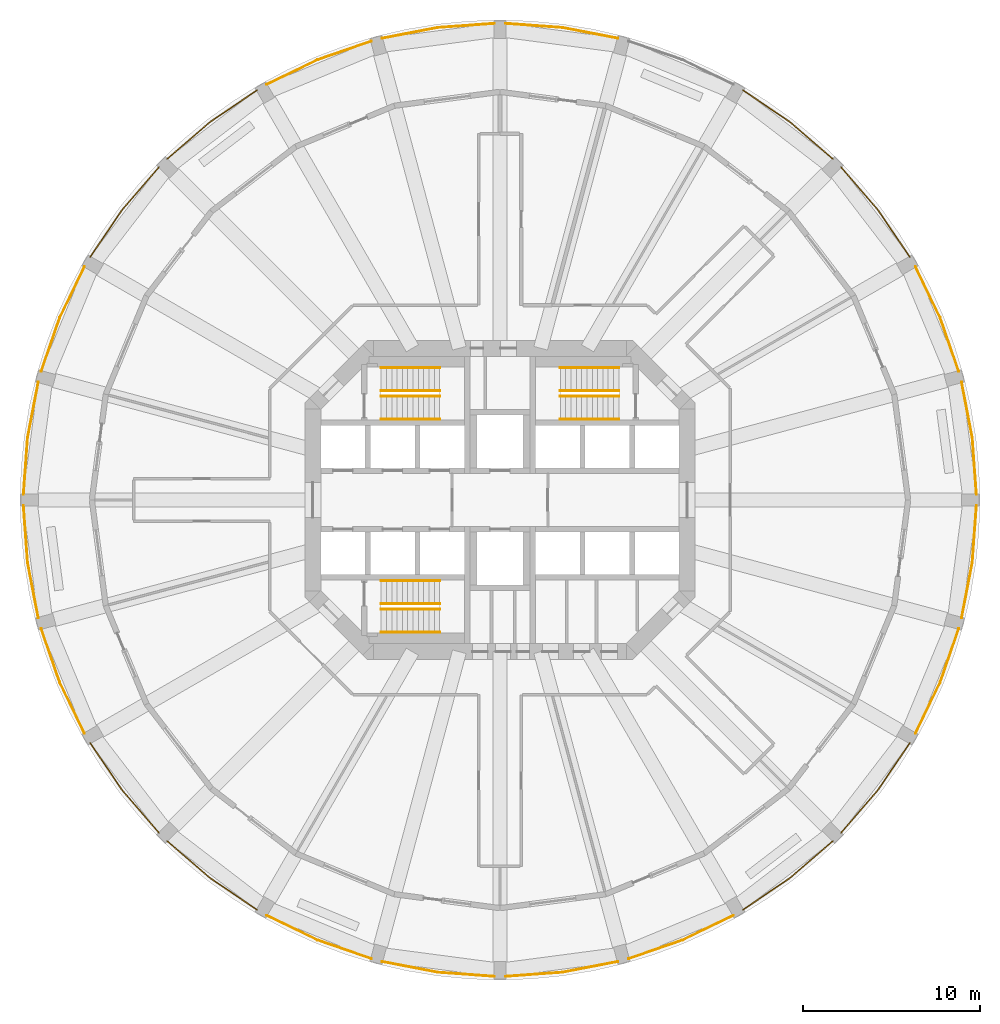
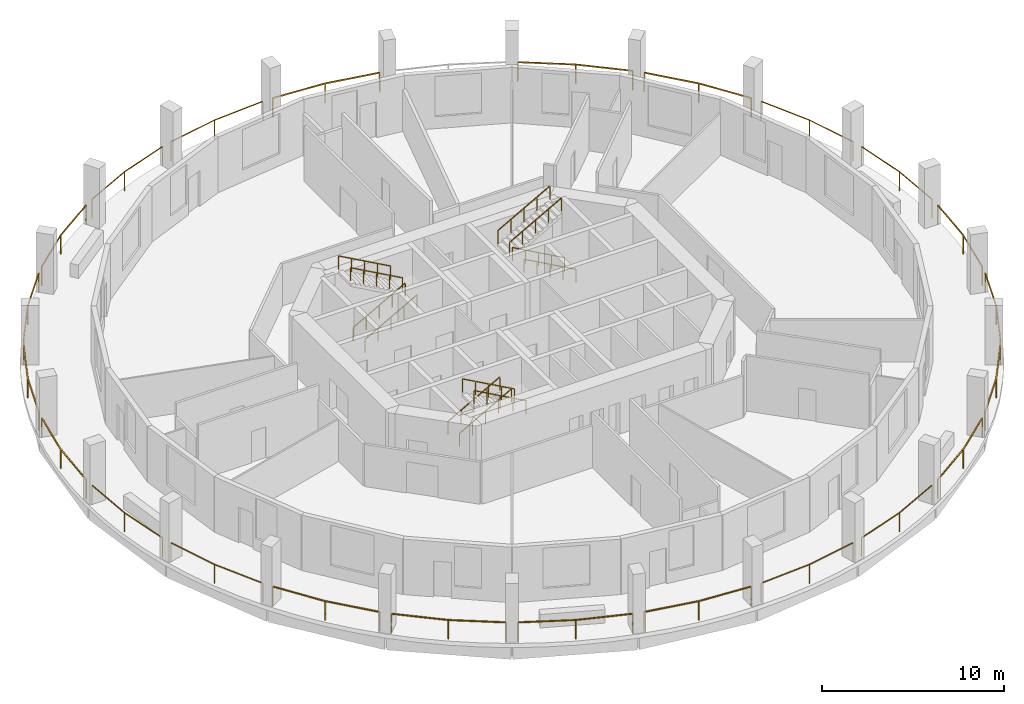
# One storey, part 8 of 9: 35 railings.
"""IFC4 building model written with IfcOpenShell, lengths in metres."""

from ifc_helpers import new_model, si_unit, direction, frame, origin, origin_2d, place, context, subcontext, project, spatial, rectangle, extrude, material, type_object, element, save


model = new_model("IFC4")

# Units and contexts
model_context = context("Model", 3, precision=1e-05, world=origin(), true_north=direction((0.0, 1.0)))
body_context = subcontext(model_context, "Body", "Model", "MODEL_VIEW")
ifc_project = project(units=[si_unit("LENGTHUNIT", "METRE"), si_unit("AREAUNIT", "SQUARE_METRE"), si_unit("VOLUMEUNIT", "CUBIC_METRE"), si_unit("PLANEANGLEUNIT", "RADIAN"), si_unit("MASSUNIT", "GRAM", prefix="KILO")], contexts=[model_context])

# Site, building, storey
site_placement = place(None, origin())
site = spatial("IfcSite", under=ifc_project, at=site_placement, CompositionType="ELEMENT")
building_placement = place(site_placement, origin())
building = spatial("IfcBuilding", under=site, at=building_placement, Name="Torre Triforio", CompositionType="ELEMENT")
storey_placement = place(building_placement, frame((0.0, 0.0, 55.0)))
storey = spatial("IfcBuildingStorey", under=building, at=storey_placement, Name="L11", CompositionType="ELEMENT", Elevation=55.0)

# Railings
ifc_material = material(Name="Stainless steel AISI 316", Category="steel")
railing_type_1 = type_object("IfcRailingType", Name="HANDRAIL 920", PredefinedType="HANDRAIL", material=ifc_material)
for number, where, name in (
    (1, (-6.699951171875, 4.550048828125, 0.166748046875), "Handrail ST1"),
    (2, (-6.699951171875, 5.85009765625, 0.166748046875), "Handrail ST1"),
):
    element("IfcRailing", number, at=place(storey_placement, frame(where)), inside=storey, type_object=railing_type_1, Name=name, PredefinedType="HANDRAIL", context=body_context, shape_type="SweptSolid", body=[
        extrude(rectangle(XDim=0.048095703125, YDim=0.048095703125, at=origin_2d()), frame((0.0, 0.0, 0.89599609375), z_axis=(0.874169478083, 0.0, 0.485620966999), x_axis=(0.0, 1.0, 0.0)), (0.0, 0.0, 1.0), 3.775146484375),
        extrude(rectangle(XDim=0.0419921875, YDim=0.0419921875, at=origin_2d()), origin(), (0.0, 0.0, 1.0), 0.871826171875),
        extrude(rectangle(XDim=0.0419921875, YDim=0.0419921875, at=origin_2d()), frame((0.824951171875, 0.0, 0.458251953125)), (0.0, 0.0, 1.0), 0.871826171875),
        extrude(rectangle(XDim=0.0419921875, YDim=0.0419921875, at=origin_2d()), frame((1.64990234375, 0.0, 0.91650390625)), (0.0, 0.0, 1.0), 0.871826171875),
        extrude(rectangle(XDim=0.0419921875, YDim=0.0419921875, at=origin_2d()), frame((2.47509765625, 0.0, 1.375)), (0.0, 0.0, 1.0), 0.871826171875),
        extrude(rectangle(XDim=0.0419921875, YDim=0.0419921875, at=origin_2d()), frame((3.300048828125, 0.0, 1.833251953125)), (0.0, 0.0, 1.0), 0.871826171875),
    ])
for number, where, name in (
    (3, (-3.39990234375, 7.449951171875, 2.166748046875), "Handrail ST1"),
    (4, (-3.39990234375, 6.14990234375, 2.166748046875), "Handrail ST1"),
    (5, (6.699951171875, 4.550048828125, 0.166748046875), "Handrail ST2"),
    (6, (6.699951171875, 5.85009765625, 0.166748046875), "Handrail ST2"),
):
    element("IfcRailing", number, at=place(storey_placement, frame(where)), inside=storey, type_object=railing_type_1, Name=name, PredefinedType="HANDRAIL", context=body_context, shape_type="SweptSolid", body=[
        extrude(rectangle(XDim=0.048095703125, YDim=0.048095703125, at=origin_2d()), frame((0.0, 0.0, 0.89599609375), z_axis=(-0.874169478083, 0.0, 0.485620966999), x_axis=(0.0, -1.0, 0.0)), (0.0, 0.0, 1.0), 3.775146484375),
        extrude(rectangle(XDim=0.0419921875, YDim=0.0419921875, at=origin_2d()), origin(), (0.0, 0.0, 1.0), 0.871826171875),
        extrude(rectangle(XDim=0.0419921875, YDim=0.0419921875, at=origin_2d()), frame((-0.824951171875, 0.0, 0.458251953125)), (0.0, 0.0, 1.0), 0.871826171875),
        extrude(rectangle(XDim=0.0419921875, YDim=0.0419921875, at=origin_2d()), frame((-1.64990234375, 0.0, 0.91650390625)), (0.0, 0.0, 1.0), 0.871826171875),
        extrude(rectangle(XDim=0.0419921875, YDim=0.0419921875, at=origin_2d()), frame((-2.47509765625, 0.0, 1.375)), (0.0, 0.0, 1.0), 0.871826171875),
        extrude(rectangle(XDim=0.0419921875, YDim=0.0419921875, at=origin_2d()), frame((-3.300048828125, 0.0, 1.833251953125)), (0.0, 0.0, 1.0), 0.871826171875),
    ])
for number, where, name in (
    (7, (3.39990234375, 7.449951171875, 2.166748046875), "Handrail ST2"),
    (8, (3.39990234375, 6.14990234375, 2.166748046875), "Handrail ST2"),
    (9, (-6.699951171875, -4.550048828125, 0.166748046875), "Handrail ST3"),
    (10, (-6.699951171875, -5.85009765625, 0.166748046875), "Handrail ST3"),
):
    element("IfcRailing", number, at=place(storey_placement, frame(where)), inside=storey, type_object=railing_type_1, Name=name, PredefinedType="HANDRAIL", context=body_context, shape_type="SweptSolid", body=[
        extrude(rectangle(XDim=0.048095703125, YDim=0.048095703125, at=origin_2d()), frame((0.0, 0.0, 0.89599609375), z_axis=(0.874169478083, 0.0, 0.485620966999), x_axis=(0.0, 1.0, 0.0)), (0.0, 0.0, 1.0), 3.775146484375),
        extrude(rectangle(XDim=0.0419921875, YDim=0.0419921875, at=origin_2d()), origin(), (0.0, 0.0, 1.0), 0.871826171875),
        extrude(rectangle(XDim=0.0419921875, YDim=0.0419921875, at=origin_2d()), frame((0.824951171875, 0.0, 0.458251953125)), (0.0, 0.0, 1.0), 0.871826171875),
        extrude(rectangle(XDim=0.0419921875, YDim=0.0419921875, at=origin_2d()), frame((1.64990234375, 0.0, 0.91650390625)), (0.0, 0.0, 1.0), 0.871826171875),
        extrude(rectangle(XDim=0.0419921875, YDim=0.0419921875, at=origin_2d()), frame((2.47509765625, 0.0, 1.375)), (0.0, 0.0, 1.0), 0.871826171875),
        extrude(rectangle(XDim=0.0419921875, YDim=0.0419921875, at=origin_2d()), frame((3.300048828125, 0.0, 1.833251953125)), (0.0, 0.0, 1.0), 0.871826171875),
    ])
for number, where, name in (
    (11, (-3.39990234375, -7.449951171875, 2.166748046875), "Handrail ST3"),
    (12, (-3.39990234375, -6.14990234375, 2.166748046875), "Handrail ST3"),
):
    element("IfcRailing", number, at=place(storey_placement, frame(where)), inside=storey, type_object=railing_type_1, Name=name, PredefinedType="HANDRAIL", context=body_context, shape_type="SweptSolid", body=[
        extrude(rectangle(XDim=0.048095703125, YDim=0.048095703125, at=origin_2d()), frame((0.0, 0.0, 0.89599609375), z_axis=(-0.874169478083, 0.0, 0.485620966999), x_axis=(0.0, -1.0, 0.0)), (0.0, 0.0, 1.0), 3.775146484375),
        extrude(rectangle(XDim=0.0419921875, YDim=0.0419921875, at=origin_2d()), origin(), (0.0, 0.0, 1.0), 0.871826171875),
        extrude(rectangle(XDim=0.0419921875, YDim=0.0419921875, at=origin_2d()), frame((-0.824951171875, 0.0, 0.458251953125)), (0.0, 0.0, 1.0), 0.871826171875),
        extrude(rectangle(XDim=0.0419921875, YDim=0.0419921875, at=origin_2d()), frame((-1.64990234375, 0.0, 0.91650390625)), (0.0, 0.0, 1.0), 0.871826171875),
        extrude(rectangle(XDim=0.0419921875, YDim=0.0419921875, at=origin_2d()), frame((-2.47509765625, 0.0, 1.375)), (0.0, 0.0, 1.0), 0.871826171875),
        extrude(rectangle(XDim=0.0419921875, YDim=0.0419921875, at=origin_2d()), frame((-3.300048828125, 0.0, 1.833251953125)), (0.0, 0.0, 1.0), 0.871826171875),
    ])
railing_type_2 = type_object("IfcRailingType", Name="Loggia guard 1300", PredefinedType="GUARDRAIL", material=ifc_material)
railing_1_placement = place(storey_placement, frame((26.85009765625, 0.320068359375, 0.0)))
element("IfcRailing", 13, at=railing_1_placement, inside=storey, type_object=railing_type_2, Name="Loggia guard L11 bay 01", PredefinedType="GUARDRAIL", context=body_context, shape_type="SweptSolid", body=[
    extrude(rectangle(XDim=0.050048828125, YDim=0.050048828125, at=origin_2d()), frame((0.0, 0.0, 1.27490234375), z_axis=(-0.071953458998, 0.997407990613, 0.0), x_axis=(-0.997407990613, -0.071953458998, 0.0)), (0.0, 0.0, 1.0), 3.19287109375),
    extrude(rectangle(XDim=0.050048828125, YDim=0.050048828125, at=origin_2d()), frame((-0.229736328125, 3.1845703125, 1.27490234375), z_axis=(-0.188714097365, 0.982032071501, 0.0), x_axis=(-0.982032071501, -0.188714097365, 0.0)), (0.0, 0.0, 1.0), 3.19287109375),
    extrude(rectangle(XDim=0.0400390625, YDim=0.0400390625, at=origin_2d()), origin(), (0.0, 0.0, 1.0), 1.25),
    extrude(rectangle(XDim=0.0400390625, YDim=0.0400390625, at=origin_2d()), frame((-0.229736328125, 3.1845703125, 0.0)), (0.0, 0.0, 1.0), 1.25),
    extrude(rectangle(XDim=0.0400390625, YDim=0.0400390625, at=origin_2d()), frame((-0.832275390625, 6.320068359375, 0.0)), (0.0, 0.0, 1.0), 1.25),
])
railing_2_placement = place(storey_placement, frame((25.852294921875, 7.25830078125, 0.0)))
element("IfcRailing", 14, at=railing_2_placement, inside=storey, type_object=railing_type_2, Name="Loggia guard L11 bay 02", PredefinedType="GUARDRAIL", context=body_context, shape_type="SweptSolid", body=[
    extrude(rectangle(XDim=0.050048828125, YDim=0.050048828125, at=origin_2d()), frame((0.0, 0.0, 1.27490234375), z_axis=(-0.327627852034, 0.94480685358, 0.0), x_axis=(-0.94480685358, -0.327627852034, 0.0)), (0.0, 0.0, 1.0), 3.193115234375),
    extrude(rectangle(XDim=0.050048828125, YDim=0.050048828125, at=origin_2d()), frame((-1.046142578125, 3.016845703125, 1.27490234375), z_axis=(-0.436384192305, 0.899760432952, 0.0), x_axis=(-0.899760432952, -0.436384192305, 0.0)), (0.0, 0.0, 1.0), 3.19287109375),
    extrude(rectangle(XDim=0.0400390625, YDim=0.0400390625, at=origin_2d()), origin(), (0.0, 0.0, 1.0), 1.25),
    extrude(rectangle(XDim=0.0400390625, YDim=0.0400390625, at=origin_2d()), frame((-1.046142578125, 3.016845703125, 0.0)), (0.0, 0.0, 1.0), 1.25),
    extrude(rectangle(XDim=0.0400390625, YDim=0.0400390625, at=origin_2d()), frame((-2.439453125, 5.8896484375, 0.0)), (0.0, 0.0, 1.0), 1.25),
])
railing_3_placement = place(storey_placement, frame((23.0927734375, 13.7021484375, 0.0)))
element("IfcRailing", 15, at=railing_3_placement, inside=storey, type_object=railing_type_2, Name="Loggia guard L11 bay 03", PredefinedType="GUARDRAIL", context=body_context, shape_type="SweptSolid", body=[
    extrude(rectangle(XDim=0.050048828125, YDim=0.050048828125, at=origin_2d()), frame((0.0, 0.0, 1.27490234375), z_axis=(-0.561018896338, 0.82780299465, 0.0), x_axis=(-0.82780299465, -0.561018896338, 0.0)), (0.0, 0.0, 1.0), 3.19287109375),
    extrude(rectangle(XDim=0.050048828125, YDim=0.050048828125, at=origin_2d()), frame((-1.791259765625, 2.64306640625, 1.27490234375), z_axis=(-0.654385993255, 0.756160678581, 0.0), x_axis=(-0.756160678581, -0.654385993255, 0.0)), (0.0, 0.0, 1.0), 3.19287109375),
    extrude(rectangle(XDim=0.0400390625, YDim=0.0400390625, at=origin_2d()), origin(), (0.0, 0.0, 1.0), 1.25),
    extrude(rectangle(XDim=0.0400390625, YDim=0.0400390625, at=origin_2d()), frame((-1.791259765625, 2.64306640625, 0.0)), (0.0, 0.0, 1.0), 1.25),
    extrude(rectangle(XDim=0.0400390625, YDim=0.0400390625, at=origin_2d()), frame((-3.880615234375, 5.057373046875, 0.0)), (0.0, 0.0, 1.0), 1.25),
])
railing_4_placement = place(storey_placement, frame((18.759521484375, 19.212158203125, 0.0)))
element("IfcRailing", 16, at=railing_4_placement, inside=storey, type_object=railing_type_2, Name="Loggia guard L11 bay 04", PredefinedType="GUARDRAIL", context=body_context, shape_type="SweptSolid", body=[
    extrude(rectangle(XDim=0.050048828125, YDim=0.050048828125, at=origin_2d()), frame((0.0, 0.0, 1.27490234375), z_axis=(-0.756160678581, 0.654385993255, 0.0), x_axis=(-0.654385993255, -0.756160678581, 0.0)), (0.0, 0.0, 1.0), 3.19287109375),
    extrude(rectangle(XDim=0.050048828125, YDim=0.050048828125, at=origin_2d()), frame((-2.414306640625, 2.08935546875, 1.27490234375), z_axis=(-0.82780299465, 0.561018896338, 0.0), x_axis=(-0.561018896338, -0.82780299465, 0.0)), (0.0, 0.0, 1.0), 3.19287109375),
    extrude(rectangle(XDim=0.0400390625, YDim=0.0400390625, at=origin_2d()), origin(), (0.0, 0.0, 1.0), 1.25),
    extrude(rectangle(XDim=0.0400390625, YDim=0.0400390625, at=origin_2d()), frame((-2.414306640625, 2.08935546875, 0.0)), (0.0, 0.0, 1.0), 1.25),
    extrude(rectangle(XDim=0.0400390625, YDim=0.0400390625, at=origin_2d()), frame((-5.057373046875, 3.880615234375, 0.0)), (0.0, 0.0, 1.0), 1.25),
])
railing_5_placement = place(storey_placement, frame((6.64013671875, 26.017822265625, 0.0)))
element("IfcRailing", 17, at=railing_5_placement, inside=storey, type_object=railing_type_2, Name="Loggia guard L11 bay 06", PredefinedType="GUARDRAIL", context=body_context, shape_type="SweptSolid", body=[
    extrude(rectangle(XDim=0.050048828125, YDim=0.050048828125, at=origin_2d()), frame((0.0, 0.0, 1.27490234375), z_axis=(-0.982032071501, 0.188714097365, 0.0), x_axis=(-0.188714097365, -0.982032071501, 0.0)), (0.0, 0.0, 1.0), 3.19287109375),
    extrude(rectangle(XDim=0.050048828125, YDim=0.050048828125, at=origin_2d()), frame((-3.135498046875, 0.6025390625, 1.27490234375), z_axis=(-0.997407990613, 0.071953458998, 0.0), x_axis=(-0.071953458998, -0.997407990613, 0.0)), (0.0, 0.0, 1.0), 3.19287109375),
    extrude(rectangle(XDim=0.0400390625, YDim=0.0400390625, at=origin_2d()), origin(), (0.0, 0.0, 1.0), 1.25),
    extrude(rectangle(XDim=0.0400390625, YDim=0.0400390625, at=origin_2d()), frame((-3.135498046875, 0.6025390625, 0.0)), (0.0, 0.0, 1.0), 1.25),
    extrude(rectangle(XDim=0.0400390625, YDim=0.0400390625, at=origin_2d()), frame((-6.320068359375, 0.832275390625, 0.0)), (0.0, 0.0, 1.0), 1.25),
])
railing_6_placement = place(storey_placement, frame((-0.320068359375, 26.85009765625, 0.0)))
element("IfcRailing", 18, at=railing_6_placement, inside=storey, type_object=railing_type_2, Name="Loggia guard L11 bay 07", PredefinedType="GUARDRAIL", context=body_context, shape_type="SweptSolid", body=[
    extrude(rectangle(XDim=0.050048828125, YDim=0.050048828125, at=origin_2d()), frame((0.0, 0.0, 1.27490234375), z_axis=(-0.997407990613, -0.071953458998, 0.0), x_axis=(0.071953458998, -0.997407990613, 0.0)), (0.0, 0.0, 1.0), 3.19287109375),
    extrude(rectangle(XDim=0.050048828125, YDim=0.050048828125, at=origin_2d()), frame((-3.1845703125, -0.229736328125, 1.27490234375), z_axis=(-0.982032071501, -0.188714097365, 0.0), x_axis=(0.188714097365, -0.982032071501, 0.0)), (0.0, 0.0, 1.0), 3.19287109375),
    extrude(rectangle(XDim=0.0400390625, YDim=0.0400390625, at=origin_2d()), origin(), (0.0, 0.0, 1.0), 1.25),
    extrude(rectangle(XDim=0.0400390625, YDim=0.0400390625, at=origin_2d()), frame((-3.1845703125, -0.229736328125, 0.0)), (0.0, 0.0, 1.0), 1.25),
    extrude(rectangle(XDim=0.0400390625, YDim=0.0400390625, at=origin_2d()), frame((-6.320068359375, -0.832275390625, 0.0)), (0.0, 0.0, 1.0), 1.25),
])
railing_7_placement = place(storey_placement, frame((-7.25830078125, 25.852294921875, 0.0)))
element("IfcRailing", 19, at=railing_7_placement, inside=storey, type_object=railing_type_2, Name="Loggia guard L11 bay 08", PredefinedType="GUARDRAIL", context=body_context, shape_type="SweptSolid", body=[
    extrude(rectangle(XDim=0.050048828125, YDim=0.050048828125, at=origin_2d()), frame((0.0, 0.0, 1.27490234375), z_axis=(-0.94480685358, -0.327627852034, 0.0), x_axis=(0.327627852034, -0.94480685358, 0.0)), (0.0, 0.0, 1.0), 3.193115234375),
    extrude(rectangle(XDim=0.050048828125, YDim=0.050048828125, at=origin_2d()), frame((-3.016845703125, -1.046142578125, 1.27490234375), z_axis=(-0.899760432952, -0.436384192305, 0.0), x_axis=(0.436384192305, -0.899760432952, 0.0)), (0.0, 0.0, 1.0), 3.19287109375),
    extrude(rectangle(XDim=0.0400390625, YDim=0.0400390625, at=origin_2d()), origin(), (0.0, 0.0, 1.0), 1.25),
    extrude(rectangle(XDim=0.0400390625, YDim=0.0400390625, at=origin_2d()), frame((-3.016845703125, -1.046142578125, 0.0)), (0.0, 0.0, 1.0), 1.25),
    extrude(rectangle(XDim=0.0400390625, YDim=0.0400390625, at=origin_2d()), frame((-5.8896484375, -2.439453125, 0.0)), (0.0, 0.0, 1.0), 1.25),
])
railing_8_placement = place(storey_placement, frame((-13.7021484375, 23.0927734375, 0.0)))
element("IfcRailing", 20, at=railing_8_placement, inside=storey, type_object=railing_type_2, Name="Loggia guard L11 bay 09", PredefinedType="GUARDRAIL", context=body_context, shape_type="SweptSolid", body=[
    extrude(rectangle(XDim=0.050048828125, YDim=0.050048828125, at=origin_2d()), frame((0.0, 0.0, 1.27490234375), z_axis=(-0.82780299465, -0.561018896338, 0.0), x_axis=(0.561018896338, -0.82780299465, 0.0)), (0.0, 0.0, 1.0), 3.19287109375),
    extrude(rectangle(XDim=0.050048828125, YDim=0.050048828125, at=origin_2d()), frame((-2.64306640625, -1.791259765625, 1.27490234375), z_axis=(-0.756160678581, -0.654385993255, 0.0), x_axis=(0.654385993255, -0.756160678581, 0.0)), (0.0, 0.0, 1.0), 3.19287109375),
    extrude(rectangle(XDim=0.0400390625, YDim=0.0400390625, at=origin_2d()), origin(), (0.0, 0.0, 1.0), 1.25),
    extrude(rectangle(XDim=0.0400390625, YDim=0.0400390625, at=origin_2d()), frame((-2.64306640625, -1.791259765625, 0.0)), (0.0, 0.0, 1.0), 1.25),
    extrude(rectangle(XDim=0.0400390625, YDim=0.0400390625, at=origin_2d()), frame((-5.057373046875, -3.880615234375, 0.0)), (0.0, 0.0, 1.0), 1.25),
])
railing_9_placement = place(storey_placement, frame((-19.212158203125, 18.759521484375, 0.0)))
element("IfcRailing", 21, at=railing_9_placement, inside=storey, type_object=railing_type_2, Name="Loggia guard L11 bay 10", PredefinedType="GUARDRAIL", context=body_context, shape_type="SweptSolid", body=[
    extrude(rectangle(XDim=0.050048828125, YDim=0.050048828125, at=origin_2d()), frame((0.0, 0.0, 1.27490234375), z_axis=(-0.654385993255, -0.756160678581, 0.0), x_axis=(0.756160678581, -0.654385993255, 0.0)), (0.0, 0.0, 1.0), 3.19287109375),
    extrude(rectangle(XDim=0.050048828125, YDim=0.050048828125, at=origin_2d()), frame((-2.08935546875, -2.414306640625, 1.27490234375), z_axis=(-0.561018896338, -0.82780299465, 0.0), x_axis=(0.82780299465, -0.561018896338, 0.0)), (0.0, 0.0, 1.0), 3.19287109375),
    extrude(rectangle(XDim=0.0400390625, YDim=0.0400390625, at=origin_2d()), origin(), (0.0, 0.0, 1.0), 1.25),
    extrude(rectangle(XDim=0.0400390625, YDim=0.0400390625, at=origin_2d()), frame((-2.08935546875, -2.414306640625, 0.0)), (0.0, 0.0, 1.0), 1.25),
    extrude(rectangle(XDim=0.0400390625, YDim=0.0400390625, at=origin_2d()), frame((-3.880615234375, -5.057373046875, 0.0)), (0.0, 0.0, 1.0), 1.25),
])
railing_10_placement = place(storey_placement, frame((-23.412841796875, 13.14794921875, 0.0)))
element("IfcRailing", 22, at=railing_10_placement, inside=storey, type_object=railing_type_2, Name="Loggia guard L11 bay 11", PredefinedType="GUARDRAIL", context=body_context, shape_type="SweptSolid", body=[
    extrude(rectangle(XDim=0.050048828125, YDim=0.050048828125, at=origin_2d()), frame((0.0, 0.0, 1.27490234375), z_axis=(-0.436384192305, -0.899760432952, 0.0), x_axis=(0.899760432952, -0.436384192305, 0.0)), (0.0, 0.0, 1.0), 3.19287109375),
    extrude(rectangle(XDim=0.050048828125, YDim=0.050048828125, at=origin_2d()), frame((-1.393310546875, -2.872802734375, 1.27490234375), z_axis=(-0.327627852034, -0.94480685358, 0.0), x_axis=(0.94480685358, -0.327627852034, 0.0)), (0.0, 0.0, 1.0), 3.193115234375),
    extrude(rectangle(XDim=0.0400390625, YDim=0.0400390625, at=origin_2d()), origin(), (0.0, 0.0, 1.0), 1.25),
    extrude(rectangle(XDim=0.0400390625, YDim=0.0400390625, at=origin_2d()), frame((-1.393310546875, -2.872802734375, 0.0)), (0.0, 0.0, 1.0), 1.25),
    extrude(rectangle(XDim=0.0400390625, YDim=0.0400390625, at=origin_2d()), frame((-2.439453125, -5.8896484375, 0.0)), (0.0, 0.0, 1.0), 1.25),
])
railing_11_placement = place(storey_placement, frame((-26.017822265625, 6.64013671875, 0.0)))
element("IfcRailing", 23, at=railing_11_placement, inside=storey, type_object=railing_type_2, Name="Loggia guard L11 bay 12", PredefinedType="GUARDRAIL", context=body_context, shape_type="SweptSolid", body=[
    extrude(rectangle(XDim=0.050048828125, YDim=0.050048828125, at=origin_2d()), frame((0.0, 0.0, 1.27490234375), z_axis=(-0.188714097365, -0.982032071501, 0.0), x_axis=(0.982032071501, -0.188714097365, 0.0)), (0.0, 0.0, 1.0), 3.19287109375),
    extrude(rectangle(XDim=0.050048828125, YDim=0.050048828125, at=origin_2d()), frame((-0.6025390625, -3.135498046875, 1.27490234375), z_axis=(-0.071953458998, -0.997407990613, 0.0), x_axis=(0.997407990613, -0.071953458998, 0.0)), (0.0, 0.0, 1.0), 3.19287109375),
    extrude(rectangle(XDim=0.0400390625, YDim=0.0400390625, at=origin_2d()), origin(), (0.0, 0.0, 1.0), 1.25),
    extrude(rectangle(XDim=0.0400390625, YDim=0.0400390625, at=origin_2d()), frame((-0.6025390625, -3.135498046875, 0.0)), (0.0, 0.0, 1.0), 1.25),
    extrude(rectangle(XDim=0.0400390625, YDim=0.0400390625, at=origin_2d()), frame((-0.832275390625, -6.320068359375, 0.0)), (0.0, 0.0, 1.0), 1.25),
])
railing_12_placement = place(storey_placement, frame((-26.85009765625, -0.320068359375, 0.0)))
element("IfcRailing", 24, at=railing_12_placement, inside=storey, type_object=railing_type_2, Name="Loggia guard L11 bay 13", PredefinedType="GUARDRAIL", context=body_context, shape_type="SweptSolid", body=[
    extrude(rectangle(XDim=0.050048828125, YDim=0.050048828125, at=origin_2d()), frame((0.0, 0.0, 1.27490234375), z_axis=(0.071953458998, -0.997407990613, 0.0), x_axis=(0.997407990613, 0.071953458998, 0.0)), (0.0, 0.0, 1.0), 3.19287109375),
    extrude(rectangle(XDim=0.050048828125, YDim=0.050048828125, at=origin_2d()), frame((0.229736328125, -3.1845703125, 1.27490234375), z_axis=(0.188714097365, -0.982032071501, 0.0), x_axis=(0.982032071501, 0.188714097365, 0.0)), (0.0, 0.0, 1.0), 3.19287109375),
    extrude(rectangle(XDim=0.0400390625, YDim=0.0400390625, at=origin_2d()), origin(), (0.0, 0.0, 1.0), 1.25),
    extrude(rectangle(XDim=0.0400390625, YDim=0.0400390625, at=origin_2d()), frame((0.229736328125, -3.1845703125, 0.0)), (0.0, 0.0, 1.0), 1.25),
    extrude(rectangle(XDim=0.0400390625, YDim=0.0400390625, at=origin_2d()), frame((0.832275390625, -6.320068359375, 0.0)), (0.0, 0.0, 1.0), 1.25),
])
railing_13_placement = place(storey_placement, frame((-25.852294921875, -7.25830078125, 0.0)))
element("IfcRailing", 25, at=railing_13_placement, inside=storey, type_object=railing_type_2, Name="Loggia guard L11 bay 14", PredefinedType="GUARDRAIL", context=body_context, shape_type="SweptSolid", body=[
    extrude(rectangle(XDim=0.050048828125, YDim=0.050048828125, at=origin_2d()), frame((0.0, 0.0, 1.27490234375), z_axis=(0.327627852034, -0.94480685358, 0.0), x_axis=(0.94480685358, 0.327627852034, 0.0)), (0.0, 0.0, 1.0), 3.193115234375),
    extrude(rectangle(XDim=0.050048828125, YDim=0.050048828125, at=origin_2d()), frame((1.046142578125, -3.016845703125, 1.27490234375), z_axis=(0.436384192305, -0.899760432952, 0.0), x_axis=(0.899760432952, 0.436384192305, 0.0)), (0.0, 0.0, 1.0), 3.19287109375),
    extrude(rectangle(XDim=0.0400390625, YDim=0.0400390625, at=origin_2d()), origin(), (0.0, 0.0, 1.0), 1.25),
    extrude(rectangle(XDim=0.0400390625, YDim=0.0400390625, at=origin_2d()), frame((1.046142578125, -3.016845703125, 0.0)), (0.0, 0.0, 1.0), 1.25),
    extrude(rectangle(XDim=0.0400390625, YDim=0.0400390625, at=origin_2d()), frame((2.439453125, -5.8896484375, 0.0)), (0.0, 0.0, 1.0), 1.25),
])
railing_14_placement = place(storey_placement, frame((-23.0927734375, -13.7021484375, 0.0)))
element("IfcRailing", 26, at=railing_14_placement, inside=storey, type_object=railing_type_2, Name="Loggia guard L11 bay 15", PredefinedType="GUARDRAIL", context=body_context, shape_type="SweptSolid", body=[
    extrude(rectangle(XDim=0.050048828125, YDim=0.050048828125, at=origin_2d()), frame((0.0, 0.0, 1.27490234375), z_axis=(0.561018896338, -0.82780299465, 0.0), x_axis=(0.82780299465, 0.561018896338, 0.0)), (0.0, 0.0, 1.0), 3.19287109375),
    extrude(rectangle(XDim=0.050048828125, YDim=0.050048828125, at=origin_2d()), frame((1.791259765625, -2.64306640625, 1.27490234375), z_axis=(0.654385993255, -0.756160678581, 0.0), x_axis=(0.756160678581, 0.654385993255, 0.0)), (0.0, 0.0, 1.0), 3.19287109375),
    extrude(rectangle(XDim=0.0400390625, YDim=0.0400390625, at=origin_2d()), origin(), (0.0, 0.0, 1.0), 1.25),
    extrude(rectangle(XDim=0.0400390625, YDim=0.0400390625, at=origin_2d()), frame((1.791259765625, -2.64306640625, 0.0)), (0.0, 0.0, 1.0), 1.25),
    extrude(rectangle(XDim=0.0400390625, YDim=0.0400390625, at=origin_2d()), frame((3.880615234375, -5.057373046875, 0.0)), (0.0, 0.0, 1.0), 1.25),
])
railing_15_placement = place(storey_placement, frame((-18.759521484375, -19.212158203125, 0.0)))
element("IfcRailing", 27, at=railing_15_placement, inside=storey, type_object=railing_type_2, Name="Loggia guard L11 bay 16", PredefinedType="GUARDRAIL", context=body_context, shape_type="SweptSolid", body=[
    extrude(rectangle(XDim=0.050048828125, YDim=0.050048828125, at=origin_2d()), frame((0.0, 0.0, 1.27490234375), z_axis=(0.756160678581, -0.654385993255, 0.0), x_axis=(0.654385993255, 0.756160678581, 0.0)), (0.0, 0.0, 1.0), 3.19287109375),
    extrude(rectangle(XDim=0.050048828125, YDim=0.050048828125, at=origin_2d()), frame((2.414306640625, -2.08935546875, 1.27490234375), z_axis=(0.82780299465, -0.561018896338, 0.0), x_axis=(0.561018896338, 0.82780299465, 0.0)), (0.0, 0.0, 1.0), 3.19287109375),
    extrude(rectangle(XDim=0.0400390625, YDim=0.0400390625, at=origin_2d()), origin(), (0.0, 0.0, 1.0), 1.25),
    extrude(rectangle(XDim=0.0400390625, YDim=0.0400390625, at=origin_2d()), frame((2.414306640625, -2.08935546875, 0.0)), (0.0, 0.0, 1.0), 1.25),
    extrude(rectangle(XDim=0.0400390625, YDim=0.0400390625, at=origin_2d()), frame((5.057373046875, -3.880615234375, 0.0)), (0.0, 0.0, 1.0), 1.25),
])
railing_16_placement = place(storey_placement, frame((-13.14794921875, -23.412841796875, 0.0)))
element("IfcRailing", 28, at=railing_16_placement, inside=storey, type_object=railing_type_2, Name="Loggia guard L11 bay 17", PredefinedType="GUARDRAIL", context=body_context, shape_type="SweptSolid", body=[
    extrude(rectangle(XDim=0.050048828125, YDim=0.050048828125, at=origin_2d()), frame((0.0, 0.0, 1.27490234375), z_axis=(0.899760432952, -0.436384192305, 0.0), x_axis=(0.436384192305, 0.899760432952, 0.0)), (0.0, 0.0, 1.0), 3.19287109375),
    extrude(rectangle(XDim=0.050048828125, YDim=0.050048828125, at=origin_2d()), frame((2.872802734375, -1.393310546875, 1.27490234375), z_axis=(0.94480685358, -0.327627852034, 0.0), x_axis=(0.327627852034, 0.94480685358, 0.0)), (0.0, 0.0, 1.0), 3.193115234375),
    extrude(rectangle(XDim=0.0400390625, YDim=0.0400390625, at=origin_2d()), origin(), (0.0, 0.0, 1.0), 1.25),
    extrude(rectangle(XDim=0.0400390625, YDim=0.0400390625, at=origin_2d()), frame((2.872802734375, -1.393310546875, 0.0)), (0.0, 0.0, 1.0), 1.25),
    extrude(rectangle(XDim=0.0400390625, YDim=0.0400390625, at=origin_2d()), frame((5.8896484375, -2.439453125, 0.0)), (0.0, 0.0, 1.0), 1.25),
])
railing_17_placement = place(storey_placement, frame((-6.64013671875, -26.017822265625, 0.0)))
element("IfcRailing", 29, at=railing_17_placement, inside=storey, type_object=railing_type_2, Name="Loggia guard L11 bay 18", PredefinedType="GUARDRAIL", context=body_context, shape_type="SweptSolid", body=[
    extrude(rectangle(XDim=0.050048828125, YDim=0.050048828125, at=origin_2d()), frame((0.0, 0.0, 1.27490234375), z_axis=(0.982032071501, -0.188714097365, 0.0), x_axis=(0.188714097365, 0.982032071501, 0.0)), (0.0, 0.0, 1.0), 3.19287109375),
    extrude(rectangle(XDim=0.050048828125, YDim=0.050048828125, at=origin_2d()), frame((3.135498046875, -0.6025390625, 1.27490234375), z_axis=(0.997407990613, -0.071953458998, 0.0), x_axis=(0.071953458998, 0.997407990613, 0.0)), (0.0, 0.0, 1.0), 3.19287109375),
    extrude(rectangle(XDim=0.0400390625, YDim=0.0400390625, at=origin_2d()), origin(), (0.0, 0.0, 1.0), 1.25),
    extrude(rectangle(XDim=0.0400390625, YDim=0.0400390625, at=origin_2d()), frame((3.135498046875, -0.6025390625, 0.0)), (0.0, 0.0, 1.0), 1.25),
    extrude(rectangle(XDim=0.0400390625, YDim=0.0400390625, at=origin_2d()), frame((6.320068359375, -0.832275390625, 0.0)), (0.0, 0.0, 1.0), 1.25),
])
railing_18_placement = place(storey_placement, frame((0.320068359375, -26.85009765625, 0.0)))
element("IfcRailing", 30, at=railing_18_placement, inside=storey, type_object=railing_type_2, Name="Loggia guard L11 bay 19", PredefinedType="GUARDRAIL", context=body_context, shape_type="SweptSolid", body=[
    extrude(rectangle(XDim=0.050048828125, YDim=0.050048828125, at=origin_2d()), frame((0.0, 0.0, 1.27490234375), z_axis=(0.997407990613, 0.071953458998, 0.0), x_axis=(-0.071953458998, 0.997407990613, 0.0)), (0.0, 0.0, 1.0), 3.19287109375),
    extrude(rectangle(XDim=0.050048828125, YDim=0.050048828125, at=origin_2d()), frame((3.1845703125, 0.229736328125, 1.27490234375), z_axis=(0.982032071501, 0.188714097365, 0.0), x_axis=(-0.188714097365, 0.982032071501, 0.0)), (0.0, 0.0, 1.0), 3.19287109375),
    extrude(rectangle(XDim=0.0400390625, YDim=0.0400390625, at=origin_2d()), origin(), (0.0, 0.0, 1.0), 1.25),
    extrude(rectangle(XDim=0.0400390625, YDim=0.0400390625, at=origin_2d()), frame((3.1845703125, 0.229736328125, 0.0)), (0.0, 0.0, 1.0), 1.25),
    extrude(rectangle(XDim=0.0400390625, YDim=0.0400390625, at=origin_2d()), frame((6.320068359375, 0.832275390625, 0.0)), (0.0, 0.0, 1.0), 1.25),
])
railing_19_placement = place(storey_placement, frame((7.25830078125, -25.852294921875, 0.0)))
element("IfcRailing", 31, at=railing_19_placement, inside=storey, type_object=railing_type_2, Name="Loggia guard L11 bay 20", PredefinedType="GUARDRAIL", context=body_context, shape_type="SweptSolid", body=[
    extrude(rectangle(XDim=0.050048828125, YDim=0.050048828125, at=origin_2d()), frame((0.0, 0.0, 1.27490234375), z_axis=(0.94480685358, 0.327627852034, 0.0), x_axis=(-0.327627852034, 0.94480685358, 0.0)), (0.0, 0.0, 1.0), 3.193115234375),
    extrude(rectangle(XDim=0.050048828125, YDim=0.050048828125, at=origin_2d()), frame((3.016845703125, 1.046142578125, 1.27490234375), z_axis=(0.899760432952, 0.436384192305, 0.0), x_axis=(-0.436384192305, 0.899760432952, 0.0)), (0.0, 0.0, 1.0), 3.19287109375),
    extrude(rectangle(XDim=0.0400390625, YDim=0.0400390625, at=origin_2d()), origin(), (0.0, 0.0, 1.0), 1.25),
    extrude(rectangle(XDim=0.0400390625, YDim=0.0400390625, at=origin_2d()), frame((3.016845703125, 1.046142578125, 0.0)), (0.0, 0.0, 1.0), 1.25),
    extrude(rectangle(XDim=0.0400390625, YDim=0.0400390625, at=origin_2d()), frame((5.8896484375, 2.439453125, 0.0)), (0.0, 0.0, 1.0), 1.25),
])
railing_20_placement = place(storey_placement, frame((13.7021484375, -23.0927734375, 0.0)))
element("IfcRailing", 32, at=railing_20_placement, inside=storey, type_object=railing_type_2, Name="Loggia guard L11 bay 21", PredefinedType="GUARDRAIL", context=body_context, shape_type="SweptSolid", body=[
    extrude(rectangle(XDim=0.050048828125, YDim=0.050048828125, at=origin_2d()), frame((0.0, 0.0, 1.27490234375), z_axis=(0.82780299465, 0.561018896338, 0.0), x_axis=(-0.561018896338, 0.82780299465, 0.0)), (0.0, 0.0, 1.0), 3.19287109375),
    extrude(rectangle(XDim=0.050048828125, YDim=0.050048828125, at=origin_2d()), frame((2.64306640625, 1.791259765625, 1.27490234375), z_axis=(0.756160678581, 0.654385993255, 0.0), x_axis=(-0.654385993255, 0.756160678581, 0.0)), (0.0, 0.0, 1.0), 3.19287109375),
    extrude(rectangle(XDim=0.0400390625, YDim=0.0400390625, at=origin_2d()), origin(), (0.0, 0.0, 1.0), 1.25),
    extrude(rectangle(XDim=0.0400390625, YDim=0.0400390625, at=origin_2d()), frame((2.64306640625, 1.791259765625, 0.0)), (0.0, 0.0, 1.0), 1.25),
    extrude(rectangle(XDim=0.0400390625, YDim=0.0400390625, at=origin_2d()), frame((5.057373046875, 3.880615234375, 0.0)), (0.0, 0.0, 1.0), 1.25),
])
railing_21_placement = place(storey_placement, frame((19.212158203125, -18.759521484375, 0.0)))
element("IfcRailing", 33, at=railing_21_placement, inside=storey, type_object=railing_type_2, Name="Loggia guard L11 bay 22", PredefinedType="GUARDRAIL", context=body_context, shape_type="SweptSolid", body=[
    extrude(rectangle(XDim=0.050048828125, YDim=0.050048828125, at=origin_2d()), frame((0.0, 0.0, 1.27490234375), z_axis=(0.654385993255, 0.756160678581, 0.0), x_axis=(-0.756160678581, 0.654385993255, 0.0)), (0.0, 0.0, 1.0), 3.19287109375),
    extrude(rectangle(XDim=0.050048828125, YDim=0.050048828125, at=origin_2d()), frame((2.08935546875, 2.414306640625, 1.27490234375), z_axis=(0.561018896338, 0.82780299465, 0.0), x_axis=(-0.82780299465, 0.561018896338, 0.0)), (0.0, 0.0, 1.0), 3.19287109375),
    extrude(rectangle(XDim=0.0400390625, YDim=0.0400390625, at=origin_2d()), origin(), (0.0, 0.0, 1.0), 1.25),
    extrude(rectangle(XDim=0.0400390625, YDim=0.0400390625, at=origin_2d()), frame((2.08935546875, 2.414306640625, 0.0)), (0.0, 0.0, 1.0), 1.25),
    extrude(rectangle(XDim=0.0400390625, YDim=0.0400390625, at=origin_2d()), frame((3.880615234375, 5.057373046875, 0.0)), (0.0, 0.0, 1.0), 1.25),
])
railing_22_placement = place(storey_placement, frame((23.412841796875, -13.14794921875, 0.0)))
element("IfcRailing", 34, at=railing_22_placement, inside=storey, type_object=railing_type_2, Name="Loggia guard L11 bay 23", PredefinedType="GUARDRAIL", context=body_context, shape_type="SweptSolid", body=[
    extrude(rectangle(XDim=0.050048828125, YDim=0.050048828125, at=origin_2d()), frame((0.0, 0.0, 1.27490234375), z_axis=(0.436384192305, 0.899760432952, 0.0), x_axis=(-0.899760432952, 0.436384192305, 0.0)), (0.0, 0.0, 1.0), 3.19287109375),
    extrude(rectangle(XDim=0.050048828125, YDim=0.050048828125, at=origin_2d()), frame((1.393310546875, 2.872802734375, 1.27490234375), z_axis=(0.327627852034, 0.94480685358, 0.0), x_axis=(-0.94480685358, 0.327627852034, 0.0)), (0.0, 0.0, 1.0), 3.193115234375),
    extrude(rectangle(XDim=0.0400390625, YDim=0.0400390625, at=origin_2d()), origin(), (0.0, 0.0, 1.0), 1.25),
    extrude(rectangle(XDim=0.0400390625, YDim=0.0400390625, at=origin_2d()), frame((1.393310546875, 2.872802734375, 0.0)), (0.0, 0.0, 1.0), 1.25),
    extrude(rectangle(XDim=0.0400390625, YDim=0.0400390625, at=origin_2d()), frame((2.439453125, 5.8896484375, 0.0)), (0.0, 0.0, 1.0), 1.25),
])
railing_23_placement = place(storey_placement, frame((26.017822265625, -6.64013671875, 0.0)))
element("IfcRailing", 35, at=railing_23_placement, inside=storey, type_object=railing_type_2, Name="Loggia guard L11 bay 24", PredefinedType="GUARDRAIL", context=body_context, shape_type="SweptSolid", body=[
    extrude(rectangle(XDim=0.050048828125, YDim=0.050048828125, at=origin_2d()), frame((0.0, 0.0, 1.27490234375), z_axis=(0.188714097365, 0.982032071501, 0.0), x_axis=(-0.982032071501, 0.188714097365, 0.0)), (0.0, 0.0, 1.0), 3.19287109375),
    extrude(rectangle(XDim=0.050048828125, YDim=0.050048828125, at=origin_2d()), frame((0.6025390625, 3.135498046875, 1.27490234375), z_axis=(0.071953458998, 0.997407990613, 0.0), x_axis=(-0.997407990613, 0.071953458998, 0.0)), (0.0, 0.0, 1.0), 3.19287109375),
    extrude(rectangle(XDim=0.0400390625, YDim=0.0400390625, at=origin_2d()), origin(), (0.0, 0.0, 1.0), 1.25),
    extrude(rectangle(XDim=0.0400390625, YDim=0.0400390625, at=origin_2d()), frame((0.6025390625, 3.135498046875, 0.0)), (0.0, 0.0, 1.0), 1.25),
    extrude(rectangle(XDim=0.0400390625, YDim=0.0400390625, at=origin_2d()), frame((0.832275390625, 6.320068359375, 0.0)), (0.0, 0.0, 1.0), 1.25),
])

save(model, "model.ifc")
